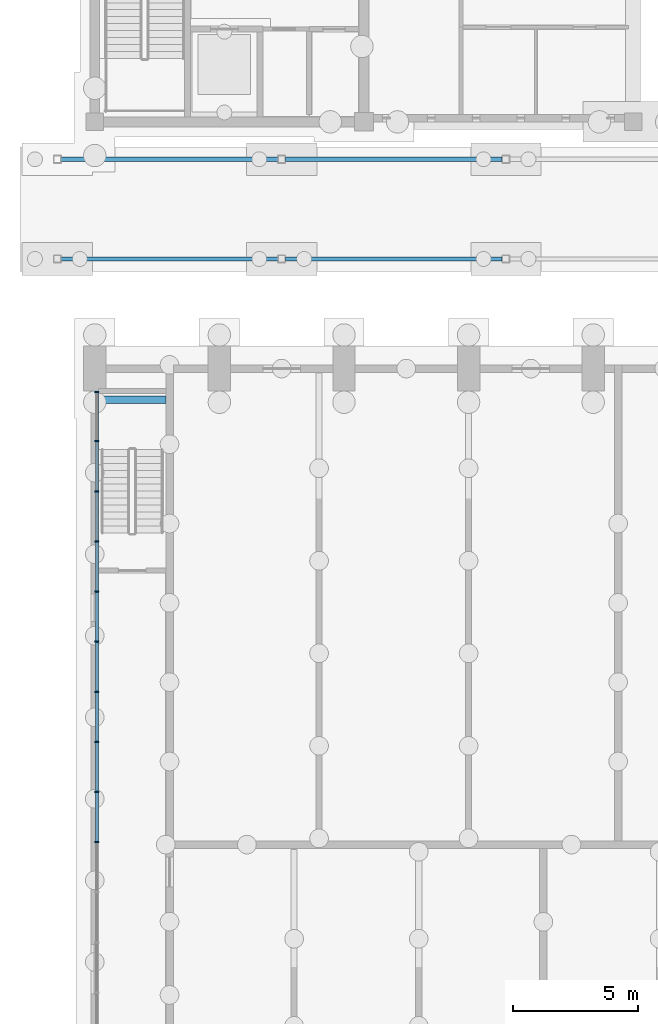
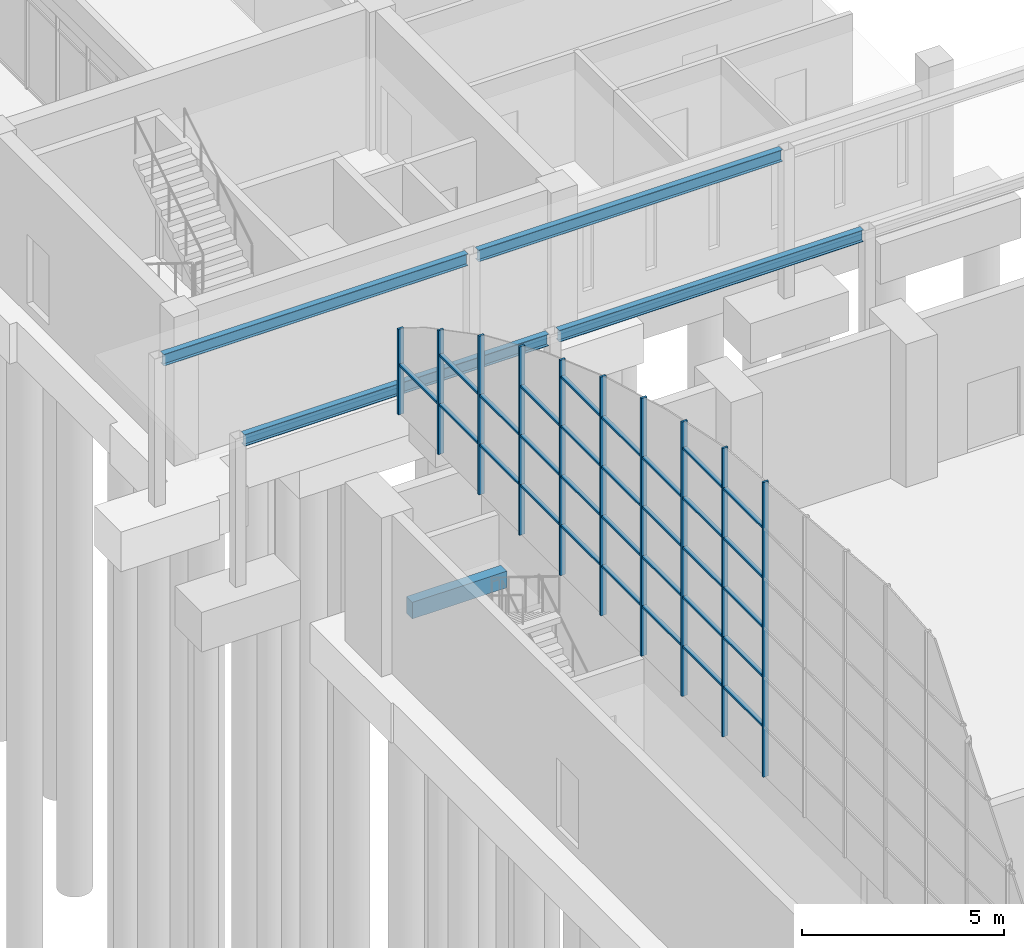
# One storey, part 31 of 106: 40 members, 5 beams, 1 element without a shape of its own.
"""IFC4 building model written with IfcOpenShell, lengths in metres."""

from ifc_helpers import new_model, si_unit, direction, frame, origin, origin_2d, place, context, subcontext, project, spatial, rectangle, i_section, extrude, material, material_profile, profile_set, type_object, element, aggregate, save


model = new_model("IFC4")

# Units and contexts
model_context = context("Model", 3, precision=1e-05, world=origin(), true_north=direction((0.0, 1.0)))
body_context = subcontext(model_context, "Body", "Model", "MODEL_VIEW")
ifc_project = project(units=[si_unit("LENGTHUNIT", "METRE"), si_unit("AREAUNIT", "SQUARE_METRE"), si_unit("VOLUMEUNIT", "CUBIC_METRE"), si_unit("PLANEANGLEUNIT", "RADIAN"), si_unit("MASSUNIT", "GRAM", prefix="KILO")], contexts=[model_context])

# Site, building, storey
site_placement = place(None, origin())
site = spatial("IfcSite", under=ifc_project, at=site_placement, CompositionType="ELEMENT")
building_placement = place(site_placement, origin())
building = spatial("IfcBuilding", under=site, at=building_placement, Name="Merrow Basin Faculty of Sciences", CompositionType="ELEMENT")
storey_placement = place(building_placement, origin())
storey = spatial("IfcBuildingStorey", under=building, at=storey_placement, Name="L00", CompositionType="ELEMENT", Elevation=0.0)

# Curtain wall, members
ifc_material_1 = material(Name="Aluminium alloy 6063", Category="aluminium")
curtain_wall_type = type_object("IfcCurtainWallType", Name="Arched curtain wall 160", PredefinedType="NOTDEFINED", material=ifc_material_1)
curtain_wall_placement = place(storey_placement, origin())
curtain_wall = element("IfcCurtainWall", 1, at=curtain_wall_placement, inside=storey, type_object=curtain_wall_type, Name="West gable glazing C", PredefinedType="NOTDEFINED")
ifc_material_2 = material(Name="Aluminium alloy 6063", Category="aluminium")
ifc_material_profile_1 = material_profile(ifc_material_2, rectangle(XDim=0.159912109375, YDim=0.06005859375, at=origin_2d()))
ifc_profile_set_1 = profile_set([ifc_material_profile_1], Name="Aluminium alloy 6063")
member_type_1 = type_object("IfcMemberType", Name="Aluminium gable mullion 60x160", PredefinedType="MULLION", material=ifc_profile_set_1)
member_1_placement = place(storey_placement, frame((0.080078125, 32.10009765625, 7.5), z_axis=(0.0, 0.0, 1.0), x_axis=(1.0, 0.0, 0.0)))
member_1 = element("IfcMember", 2, at=member_1_placement, type_object=member_type_1, Name="CW4 mullion 10", PredefinedType="MULLION", context=body_context, shape_type="SweptSolid", body=[
    extrude(rectangle(XDim=0.159912109375, YDim=0.06005859375, at=origin_2d()), origin(), (0.0, 0.0, 1.0), 8.916015625),
])
member_2_placement = place(storey_placement, frame((0.080078125, 34.111083984375, 7.5), z_axis=(0.0, 0.0, 1.0), x_axis=(1.0, 0.0, 0.0)))
member_2 = element("IfcMember", 3, at=member_2_placement, type_object=member_type_1, Name="CW4 mullion 11", PredefinedType="MULLION", context=body_context, shape_type="SweptSolid", body=[
    extrude(rectangle(XDim=0.159912109375, YDim=0.06005859375, at=origin_2d()), origin(), (0.0, 0.0, 1.0), 8.72509765625),
])
member_3_placement = place(storey_placement, frame((0.080078125, 36.1220703125, 7.5), z_axis=(0.0, 0.0, 1.0), x_axis=(1.0, 0.0, 0.0)))
member_3 = element("IfcMember", 4, at=member_3_placement, type_object=member_type_1, Name="CW4 mullion 12", PredefinedType="MULLION", context=body_context, shape_type="SweptSolid", body=[
    extrude(rectangle(XDim=0.159912109375, YDim=0.06005859375, at=origin_2d()), origin(), (0.0, 0.0, 1.0), 8.303955078125),
])
member_4_placement = place(storey_placement, frame((0.080078125, 38.133056640625, 7.5), z_axis=(0.0, 0.0, 1.0), x_axis=(1.0, 0.0, 0.0)))
member_4 = element("IfcMember", 5, at=member_4_placement, type_object=member_type_1, Name="CW4 mullion 13", PredefinedType="MULLION", context=body_context, shape_type="SweptSolid", body=[
    extrude(rectangle(XDim=0.159912109375, YDim=0.06005859375, at=origin_2d()), origin(), (0.0, 0.0, 1.0), 7.800048828125),
])
member_5_placement = place(storey_placement, frame((0.080078125, 40.14404296875, 7.5), z_axis=(0.0, 0.0, 1.0), x_axis=(1.0, 0.0, 0.0)))
member_5 = element("IfcMember", 6, at=member_5_placement, type_object=member_type_1, Name="CW4 mullion 14", PredefinedType="MULLION", context=body_context, shape_type="SweptSolid", body=[
    extrude(rectangle(XDim=0.159912109375, YDim=0.06005859375, at=origin_2d()), origin(), (0.0, 0.0, 1.0), 7.222900390625),
])
member_6_placement = place(storey_placement, frame((0.080078125, 42.156005859375, 7.5), z_axis=(0.0, 0.0, 1.0), x_axis=(1.0, 0.0, 0.0)))
member_6 = element("IfcMember", 7, at=member_6_placement, type_object=member_type_1, Name="CW4 mullion 15", PredefinedType="MULLION", context=body_context, shape_type="SweptSolid", body=[
    extrude(rectangle(XDim=0.159912109375, YDim=0.06005859375, at=origin_2d()), origin(), (0.0, 0.0, 1.0), 6.510009765625),
])
member_7_placement = place(storey_placement, frame((0.080078125, 44.1669921875, 7.5), z_axis=(0.0, 0.0, 1.0), x_axis=(1.0, 0.0, 0.0)))
member_7 = element("IfcMember", 8, at=member_7_placement, type_object=member_type_1, Name="CW4 mullion 16", PredefinedType="MULLION", context=body_context, shape_type="SweptSolid", body=[
    extrude(rectangle(XDim=0.159912109375, YDim=0.06005859375, at=origin_2d()), origin(), (0.0, 0.0, 1.0), 5.698974609375),
])
member_8_placement = place(storey_placement, frame((0.080078125, 46.177978515625, 7.5), z_axis=(0.0, 0.0, 1.0), x_axis=(1.0, 0.0, 0.0)))
member_8 = element("IfcMember", 9, at=member_8_placement, type_object=member_type_1, Name="CW4 mullion 17", PredefinedType="MULLION", context=body_context, shape_type="SweptSolid", body=[
    extrude(rectangle(XDim=0.159912109375, YDim=0.06005859375, at=origin_2d()), origin(), (0.0, 0.0, 1.0), 4.802001953125),
])
member_9_placement = place(storey_placement, frame((0.080078125, 48.18896484375, 7.5), z_axis=(0.0, 0.0, 1.0), x_axis=(1.0, 0.0, 0.0)))
member_9 = element("IfcMember", 10, at=member_9_placement, type_object=member_type_1, Name="CW4 mullion 18", PredefinedType="MULLION", context=body_context, shape_type="SweptSolid", body=[
    extrude(rectangle(XDim=0.159912109375, YDim=0.06005859375, at=origin_2d()), origin(), (0.0, 0.0, 1.0), 3.75),
])
member_10_placement = place(storey_placement, frame((0.080078125, 50.169921875, 7.5), z_axis=(0.0, 0.0, 1.0), x_axis=(1.0, 0.0, 0.0)))
member_10 = element("IfcMember", 11, at=member_10_placement, type_object=member_type_1, Name="CW4 mullion 19", PredefinedType="MULLION", context=body_context, shape_type="SweptSolid", body=[
    extrude(rectangle(XDim=0.159912109375, YDim=0.06005859375, at=origin_2d()), origin(), (0.0, 0.0, 1.0), 2.590087890625),
])
ifc_material_3 = material(Name="Aluminium alloy 6063", Category="aluminium")
ifc_material_profile_2 = material_profile(ifc_material_3, rectangle(XDim=0.1201171875, YDim=0.06005859375, at=origin_2d()))
ifc_profile_set_2 = profile_set([ifc_material_profile_2], Name="Aluminium alloy 6063")
member_type_2 = type_object("IfcMemberType", Name="Aluminium gable transom 60x120", PredefinedType="USERDEFINED", material=ifc_profile_set_2)
member_11_placement = place(storey_placement, frame((0.080078125, 32.1298828125, 9.0), z_axis=(0.0, 1.0, 0.0), x_axis=(-1.0, 0.0, 0.0)))
member_11 = element("IfcMember", 12, at=member_11_placement, type_object=member_type_2, Name="CW4 transom 10.1", ObjectType="TRANSOM", PredefinedType="USERDEFINED", context=body_context, shape_type="SweptSolid", body=[
    extrude(rectangle(XDim=0.1201171875, YDim=0.06005859375, at=origin_2d()), origin(), (0.0, 0.0, 1.0), 1.951171875),
])
member_12_placement = place(storey_placement, frame((0.080078125, 32.1298828125, 10.5), z_axis=(0.0, 1.0, 0.0), x_axis=(-1.0, 0.0, 0.0)))
member_12 = element("IfcMember", 13, at=member_12_placement, type_object=member_type_2, Name="CW4 transom 10.2", ObjectType="TRANSOM", PredefinedType="USERDEFINED", context=body_context, shape_type="SweptSolid", body=[
    extrude(rectangle(XDim=0.1201171875, YDim=0.06005859375, at=origin_2d()), origin(), (0.0, 0.0, 1.0), 1.951171875),
])
member_13_placement = place(storey_placement, frame((0.080078125, 32.1298828125, 12.0), z_axis=(0.0, 1.0, 0.0), x_axis=(-1.0, 0.0, 0.0)))
member_13 = element("IfcMember", 14, at=member_13_placement, type_object=member_type_2, Name="CW4 transom 10.3", ObjectType="TRANSOM", PredefinedType="USERDEFINED", context=body_context, shape_type="SweptSolid", body=[
    extrude(rectangle(XDim=0.1201171875, YDim=0.06005859375, at=origin_2d()), origin(), (0.0, 0.0, 1.0), 1.951171875),
])
member_14_placement = place(storey_placement, frame((0.080078125, 32.1298828125, 13.5), z_axis=(0.0, 1.0, 0.0), x_axis=(-1.0, 0.0, 0.0)))
member_14 = element("IfcMember", 15, at=member_14_placement, type_object=member_type_2, Name="CW4 transom 10.4", ObjectType="TRANSOM", PredefinedType="USERDEFINED", context=body_context, shape_type="SweptSolid", body=[
    extrude(rectangle(XDim=0.1201171875, YDim=0.06005859375, at=origin_2d()), origin(), (0.0, 0.0, 1.0), 1.951171875),
])
member_15_placement = place(storey_placement, frame((0.080078125, 32.1298828125, 15.0), z_axis=(0.0, 1.0, 0.0), x_axis=(-1.0, 0.0, 0.0)))
member_15 = element("IfcMember", 16, at=member_15_placement, type_object=member_type_2, Name="CW4 transom 10.5", ObjectType="TRANSOM", PredefinedType="USERDEFINED", context=body_context, shape_type="SweptSolid", body=[
    extrude(rectangle(XDim=0.1201171875, YDim=0.06005859375, at=origin_2d()), origin(), (0.0, 0.0, 1.0), 1.951171875),
])
member_16_placement = place(storey_placement, frame((0.080078125, 34.14111328125, 9.0), z_axis=(0.0, 1.0, 0.0), x_axis=(-1.0, 0.0, 0.0)))
member_16 = element("IfcMember", 17, at=member_16_placement, type_object=member_type_2, Name="CW4 transom 11.1", ObjectType="TRANSOM", PredefinedType="USERDEFINED", context=body_context, shape_type="SweptSolid", body=[
    extrude(rectangle(XDim=0.1201171875, YDim=0.06005859375, at=origin_2d()), origin(), (0.0, 0.0, 1.0), 1.950927734375),
])
member_17_placement = place(storey_placement, frame((0.080078125, 34.14111328125, 10.5), z_axis=(0.0, 1.0, 0.0), x_axis=(-1.0, 0.0, 0.0)))
member_17 = element("IfcMember", 18, at=member_17_placement, type_object=member_type_2, Name="CW4 transom 11.2", ObjectType="TRANSOM", PredefinedType="USERDEFINED", context=body_context, shape_type="SweptSolid", body=[
    extrude(rectangle(XDim=0.1201171875, YDim=0.06005859375, at=origin_2d()), origin(), (0.0, 0.0, 1.0), 1.950927734375),
])
member_18_placement = place(storey_placement, frame((0.080078125, 34.14111328125, 12.0), z_axis=(0.0, 1.0, 0.0), x_axis=(-1.0, 0.0, 0.0)))
member_18 = element("IfcMember", 19, at=member_18_placement, type_object=member_type_2, Name="CW4 transom 11.3", ObjectType="TRANSOM", PredefinedType="USERDEFINED", context=body_context, shape_type="SweptSolid", body=[
    extrude(rectangle(XDim=0.1201171875, YDim=0.06005859375, at=origin_2d()), origin(), (0.0, 0.0, 1.0), 1.950927734375),
])
member_19_placement = place(storey_placement, frame((0.080078125, 34.14111328125, 13.5), z_axis=(0.0, 1.0, 0.0), x_axis=(-1.0, 0.0, 0.0)))
member_19 = element("IfcMember", 20, at=member_19_placement, type_object=member_type_2, Name="CW4 transom 11.4", ObjectType="TRANSOM", PredefinedType="USERDEFINED", context=body_context, shape_type="SweptSolid", body=[
    extrude(rectangle(XDim=0.1201171875, YDim=0.06005859375, at=origin_2d()), origin(), (0.0, 0.0, 1.0), 1.950927734375),
])
member_20_placement = place(storey_placement, frame((0.080078125, 34.14111328125, 15.0), z_axis=(0.0, 1.0, 0.0), x_axis=(-1.0, 0.0, 0.0)))
member_20 = element("IfcMember", 21, at=member_20_placement, type_object=member_type_2, Name="CW4 transom 11.5", ObjectType="TRANSOM", PredefinedType="USERDEFINED", context=body_context, shape_type="SweptSolid", body=[
    extrude(rectangle(XDim=0.1201171875, YDim=0.06005859375, at=origin_2d()), origin(), (0.0, 0.0, 1.0), 1.950927734375),
])
member_21_placement = place(storey_placement, frame((0.080078125, 36.152099609375, 9.0), z_axis=(0.0, 1.0, 0.0), x_axis=(-1.0, 0.0, 0.0)))
member_21 = element("IfcMember", 22, at=member_21_placement, type_object=member_type_2, Name="CW4 transom 12.1", ObjectType="TRANSOM", PredefinedType="USERDEFINED", context=body_context, shape_type="SweptSolid", body=[
    extrude(rectangle(XDim=0.1201171875, YDim=0.06005859375, at=origin_2d()), origin(), (0.0, 0.0, 1.0), 1.950927734375),
])
member_22_placement = place(storey_placement, frame((0.080078125, 36.152099609375, 10.5), z_axis=(0.0, 1.0, 0.0), x_axis=(-1.0, 0.0, 0.0)))
member_22 = element("IfcMember", 23, at=member_22_placement, type_object=member_type_2, Name="CW4 transom 12.2", ObjectType="TRANSOM", PredefinedType="USERDEFINED", context=body_context, shape_type="SweptSolid", body=[
    extrude(rectangle(XDim=0.1201171875, YDim=0.06005859375, at=origin_2d()), origin(), (0.0, 0.0, 1.0), 1.950927734375),
])
member_23_placement = place(storey_placement, frame((0.080078125, 36.152099609375, 12.0), z_axis=(0.0, 1.0, 0.0), x_axis=(-1.0, 0.0, 0.0)))
member_23 = element("IfcMember", 24, at=member_23_placement, type_object=member_type_2, Name="CW4 transom 12.3", ObjectType="TRANSOM", PredefinedType="USERDEFINED", context=body_context, shape_type="SweptSolid", body=[
    extrude(rectangle(XDim=0.1201171875, YDim=0.06005859375, at=origin_2d()), origin(), (0.0, 0.0, 1.0), 1.950927734375),
])
member_24_placement = place(storey_placement, frame((0.080078125, 36.152099609375, 13.5), z_axis=(0.0, 1.0, 0.0), x_axis=(-1.0, 0.0, 0.0)))
member_24 = element("IfcMember", 25, at=member_24_placement, type_object=member_type_2, Name="CW4 transom 12.4", ObjectType="TRANSOM", PredefinedType="USERDEFINED", context=body_context, shape_type="SweptSolid", body=[
    extrude(rectangle(XDim=0.1201171875, YDim=0.06005859375, at=origin_2d()), origin(), (0.0, 0.0, 1.0), 1.950927734375),
])
member_25_placement = place(storey_placement, frame((0.080078125, 38.1630859375, 9.0), z_axis=(0.0, 1.0, 0.0), x_axis=(-1.0, 0.0, 0.0)))
member_25 = element("IfcMember", 26, at=member_25_placement, type_object=member_type_2, Name="CW4 transom 13.1", ObjectType="TRANSOM", PredefinedType="USERDEFINED", context=body_context, shape_type="SweptSolid", body=[
    extrude(rectangle(XDim=0.1201171875, YDim=0.06005859375, at=origin_2d()), origin(), (0.0, 0.0, 1.0), 1.950927734375),
])
member_26_placement = place(storey_placement, frame((0.080078125, 38.1630859375, 10.5), z_axis=(0.0, 1.0, 0.0), x_axis=(-1.0, 0.0, 0.0)))
member_26 = element("IfcMember", 27, at=member_26_placement, type_object=member_type_2, Name="CW4 transom 13.2", ObjectType="TRANSOM", PredefinedType="USERDEFINED", context=body_context, shape_type="SweptSolid", body=[
    extrude(rectangle(XDim=0.1201171875, YDim=0.06005859375, at=origin_2d()), origin(), (0.0, 0.0, 1.0), 1.950927734375),
])
member_27_placement = place(storey_placement, frame((0.080078125, 38.1630859375, 12.0), z_axis=(0.0, 1.0, 0.0), x_axis=(-1.0, 0.0, 0.0)))
member_27 = element("IfcMember", 28, at=member_27_placement, type_object=member_type_2, Name="CW4 transom 13.3", ObjectType="TRANSOM", PredefinedType="USERDEFINED", context=body_context, shape_type="SweptSolid", body=[
    extrude(rectangle(XDim=0.1201171875, YDim=0.06005859375, at=origin_2d()), origin(), (0.0, 0.0, 1.0), 1.950927734375),
])
member_28_placement = place(storey_placement, frame((0.080078125, 38.1630859375, 13.5), z_axis=(0.0, 1.0, 0.0), x_axis=(-1.0, 0.0, 0.0)))
member_28 = element("IfcMember", 29, at=member_28_placement, type_object=member_type_2, Name="CW4 transom 13.4", ObjectType="TRANSOM", PredefinedType="USERDEFINED", context=body_context, shape_type="SweptSolid", body=[
    extrude(rectangle(XDim=0.1201171875, YDim=0.06005859375, at=origin_2d()), origin(), (0.0, 0.0, 1.0), 1.950927734375),
])
member_29_placement = place(storey_placement, frame((0.080078125, 40.174072265625, 9.0), z_axis=(0.0, 1.0, 0.0), x_axis=(-1.0, 0.0, 0.0)))
member_29 = element("IfcMember", 30, at=member_29_placement, type_object=member_type_2, Name="CW4 transom 14.1", ObjectType="TRANSOM", PredefinedType="USERDEFINED", context=body_context, shape_type="SweptSolid", body=[
    extrude(rectangle(XDim=0.1201171875, YDim=0.06005859375, at=origin_2d()), origin(), (0.0, 0.0, 1.0), 1.951904296875),
])
member_30_placement = place(storey_placement, frame((0.080078125, 40.174072265625, 10.5), z_axis=(0.0, 1.0, 0.0), x_axis=(-1.0, 0.0, 0.0)))
member_30 = element("IfcMember", 31, at=member_30_placement, type_object=member_type_2, Name="CW4 transom 14.2", ObjectType="TRANSOM", PredefinedType="USERDEFINED", context=body_context, shape_type="SweptSolid", body=[
    extrude(rectangle(XDim=0.1201171875, YDim=0.06005859375, at=origin_2d()), origin(), (0.0, 0.0, 1.0), 1.951904296875),
])
member_31_placement = place(storey_placement, frame((0.080078125, 40.174072265625, 12.0), z_axis=(0.0, 1.0, 0.0), x_axis=(-1.0, 0.0, 0.0)))
member_31 = element("IfcMember", 32, at=member_31_placement, type_object=member_type_2, Name="CW4 transom 14.3", ObjectType="TRANSOM", PredefinedType="USERDEFINED", context=body_context, shape_type="SweptSolid", body=[
    extrude(rectangle(XDim=0.1201171875, YDim=0.06005859375, at=origin_2d()), origin(), (0.0, 0.0, 1.0), 1.951904296875),
])
member_32_placement = place(storey_placement, frame((0.080078125, 40.174072265625, 13.5), z_axis=(0.0, 1.0, 0.0), x_axis=(-1.0, 0.0, 0.0)))
member_32 = element("IfcMember", 33, at=member_32_placement, type_object=member_type_2, Name="CW4 transom 14.4", ObjectType="TRANSOM", PredefinedType="USERDEFINED", context=body_context, shape_type="SweptSolid", body=[
    extrude(rectangle(XDim=0.1201171875, YDim=0.06005859375, at=origin_2d()), origin(), (0.0, 0.0, 1.0), 1.951904296875),
])
member_33_placement = place(storey_placement, frame((0.080078125, 42.18603515625, 9.0), z_axis=(0.0, 1.0, 0.0), x_axis=(-1.0, 0.0, 0.0)))
member_33 = element("IfcMember", 34, at=member_33_placement, type_object=member_type_2, Name="CW4 transom 15.1", ObjectType="TRANSOM", PredefinedType="USERDEFINED", context=body_context, shape_type="SweptSolid", body=[
    extrude(rectangle(XDim=0.1201171875, YDim=0.06005859375, at=origin_2d()), origin(), (0.0, 0.0, 1.0), 1.950927734375),
])
member_34_placement = place(storey_placement, frame((0.080078125, 42.18603515625, 10.5), z_axis=(0.0, 1.0, 0.0), x_axis=(-1.0, 0.0, 0.0)))
member_34 = element("IfcMember", 35, at=member_34_placement, type_object=member_type_2, Name="CW4 transom 15.2", ObjectType="TRANSOM", PredefinedType="USERDEFINED", context=body_context, shape_type="SweptSolid", body=[
    extrude(rectangle(XDim=0.1201171875, YDim=0.06005859375, at=origin_2d()), origin(), (0.0, 0.0, 1.0), 1.950927734375),
])
member_35_placement = place(storey_placement, frame((0.080078125, 42.18603515625, 12.0), z_axis=(0.0, 1.0, 0.0), x_axis=(-1.0, 0.0, 0.0)))
member_35 = element("IfcMember", 36, at=member_35_placement, type_object=member_type_2, Name="CW4 transom 15.3", ObjectType="TRANSOM", PredefinedType="USERDEFINED", context=body_context, shape_type="SweptSolid", body=[
    extrude(rectangle(XDim=0.1201171875, YDim=0.06005859375, at=origin_2d()), origin(), (0.0, 0.0, 1.0), 1.950927734375),
])
member_36_placement = place(storey_placement, frame((0.080078125, 44.197021484375, 9.0), z_axis=(0.0, 1.0, 0.0), x_axis=(-1.0, 0.0, 0.0)))
member_36 = element("IfcMember", 37, at=member_36_placement, type_object=member_type_2, Name="CW4 transom 16.1", ObjectType="TRANSOM", PredefinedType="USERDEFINED", context=body_context, shape_type="SweptSolid", body=[
    extrude(rectangle(XDim=0.1201171875, YDim=0.06005859375, at=origin_2d()), origin(), (0.0, 0.0, 1.0), 1.950927734375),
])
member_37_placement = place(storey_placement, frame((0.080078125, 44.197021484375, 10.5), z_axis=(0.0, 1.0, 0.0), x_axis=(-1.0, 0.0, 0.0)))
member_37 = element("IfcMember", 38, at=member_37_placement, type_object=member_type_2, Name="CW4 transom 16.2", ObjectType="TRANSOM", PredefinedType="USERDEFINED", context=body_context, shape_type="SweptSolid", body=[
    extrude(rectangle(XDim=0.1201171875, YDim=0.06005859375, at=origin_2d()), origin(), (0.0, 0.0, 1.0), 1.950927734375),
])
member_38_placement = place(storey_placement, frame((0.080078125, 46.2080078125, 9.0), z_axis=(0.0, 1.0, 0.0), x_axis=(-1.0, 0.0, 0.0)))
member_38 = element("IfcMember", 39, at=member_38_placement, type_object=member_type_2, Name="CW4 transom 17.1", ObjectType="TRANSOM", PredefinedType="USERDEFINED", context=body_context, shape_type="SweptSolid", body=[
    extrude(rectangle(XDim=0.1201171875, YDim=0.06005859375, at=origin_2d()), origin(), (0.0, 0.0, 1.0), 1.950927734375),
])
member_39_placement = place(storey_placement, frame((0.080078125, 46.2080078125, 10.5), z_axis=(0.0, 1.0, 0.0), x_axis=(-1.0, 0.0, 0.0)))
member_39 = element("IfcMember", 40, at=member_39_placement, type_object=member_type_2, Name="CW4 transom 17.2", ObjectType="TRANSOM", PredefinedType="USERDEFINED", context=body_context, shape_type="SweptSolid", body=[
    extrude(rectangle(XDim=0.1201171875, YDim=0.06005859375, at=origin_2d()), origin(), (0.0, 0.0, 1.0), 1.950927734375),
])
member_40_placement = place(storey_placement, frame((0.080078125, 48.218994140625, 9.0), z_axis=(0.0, 1.0, 0.0), x_axis=(-1.0, 0.0, 0.0)))
member_40 = element("IfcMember", 41, at=member_40_placement, type_object=member_type_2, Name="CW4 transom 18.1", ObjectType="TRANSOM", PredefinedType="USERDEFINED", context=body_context, shape_type="SweptSolid", body=[
    extrude(rectangle(XDim=0.1201171875, YDim=0.06005859375, at=origin_2d()), origin(), (0.0, 0.0, 1.0), 1.9208984375),
])
aggregate(curtain_wall, [member_1, member_2, member_3, member_4, member_5, member_6, member_7, member_8, member_9, member_10, member_11, member_12, member_13, member_14, member_15, member_16, member_17, member_18, member_19, member_20, member_21, member_22, member_23, member_24, member_25, member_26, member_27, member_28, member_29, member_30, member_31, member_32, member_33, member_34, member_35, member_36, member_37, member_38, member_39, member_40])

# Beams
ifc_material_4 = material(Name="Steel ASTM A992", Category="steel")
ifc_material_profile_3 = material_profile(ifc_material_4, i_section(OverallWidth=0.1708984375, OverallDepth=0.35498046875, WebThickness=0.007080078125, FlangeThickness=0.01171875, at=origin_2d()))
ifc_profile_set_3 = profile_set([ifc_material_profile_3], Name="Steel ASTM A992")
beam_type_1 = type_object("IfcBeamType", Name="Canopy beam W360x51", PredefinedType="BEAM", material=ifc_profile_set_3)
beam_1_placement = place(storey_placement, frame((-1.346923828125, 55.5, 4.001953125), z_axis=(1.0, 0.0, 0.0), x_axis=(0.0, 1.0, 0.0)))
element("IfcBeam", 42, at=beam_1_placement, inside=storey, type_object=beam_type_1, Name="CB1 L00 001", PredefinedType="BEAM", context=body_context, shape_type="SweptSolid", body=[
    extrude(i_section(OverallWidth=0.1708984375, OverallDepth=0.35498046875, WebThickness=0.007080078125, FlangeThickness=0.01171875, at=origin_2d()), origin(), (0.0, 0.0, 1.0), 8.69482421875),
])
beam_2_placement = place(storey_placement, frame((7.652099609375, 55.5, 4.001953125), z_axis=(1.0, 0.0, 0.0), x_axis=(0.0, 1.0, 0.0)))
element("IfcBeam", 43, at=beam_2_placement, inside=storey, type_object=beam_type_1, Name="CB1 L00 002", PredefinedType="BEAM", context=body_context, shape_type="SweptSolid", body=[
    extrude(i_section(OverallWidth=0.1708984375, OverallDepth=0.35498046875, WebThickness=0.007080078125, FlangeThickness=0.01171875, at=origin_2d()), origin(), (0.0, 0.0, 1.0), 8.69580078125),
])
beam_3_placement = place(storey_placement, frame((-1.346923828125, 59.5, 4.001953125), z_axis=(1.0, 0.0, 0.0), x_axis=(0.0, 1.0, 0.0)))
element("IfcBeam", 44, at=beam_3_placement, inside=storey, type_object=beam_type_1, Name="CB1 L00 009", PredefinedType="BEAM", context=body_context, shape_type="SweptSolid", body=[
    extrude(i_section(OverallWidth=0.1708984375, OverallDepth=0.35498046875, WebThickness=0.007080078125, FlangeThickness=0.01171875, at=origin_2d()), origin(), (0.0, 0.0, 1.0), 8.69482421875),
])
beam_4_placement = place(storey_placement, frame((7.652099609375, 59.5, 4.001953125), z_axis=(1.0, 0.0, 0.0), x_axis=(0.0, 1.0, 0.0)))
element("IfcBeam", 45, at=beam_4_placement, inside=storey, type_object=beam_type_1, Name="CB1 L00 010", PredefinedType="BEAM", context=body_context, shape_type="SweptSolid", body=[
    extrude(i_section(OverallWidth=0.1708984375, OverallDepth=0.35498046875, WebThickness=0.007080078125, FlangeThickness=0.01171875, at=origin_2d()), origin(), (0.0, 0.0, 1.0), 8.69580078125),
])
ifc_material_5 = material(Name="Concrete C40/50", Category="concrete")
ifc_material_profile_4 = material_profile(ifc_material_5, rectangle(XDim=0.300048828125, YDim=0.5, at=origin_2d()))
ifc_profile_set_4 = profile_set([ifc_material_profile_4], Name="Concrete C40/50")
beam_type_2 = type_object("IfcBeamType", Name="Stair landing beam RC300x500 C40/50", PredefinedType="BEAM", material=ifc_profile_set_4)
beam_5_placement = place(storey_placement, frame((0.14990234375, 49.85009765625, 1.800048828125), z_axis=(1.0, 0.0, 0.0), x_axis=(0.0, 1.0, 0.0)))
element("IfcBeam", 46, at=beam_5_placement, inside=storey, type_object=beam_type_2, Name="LB1 L00 001", PredefinedType="BEAM", context=body_context, shape_type="SweptSolid", body=[
    extrude(rectangle(XDim=0.300048828125, YDim=0.5, at=origin_2d()), origin(), (0.0, 0.0, 1.0), 2.7001953125),
])

save(model, "model.ifc")
